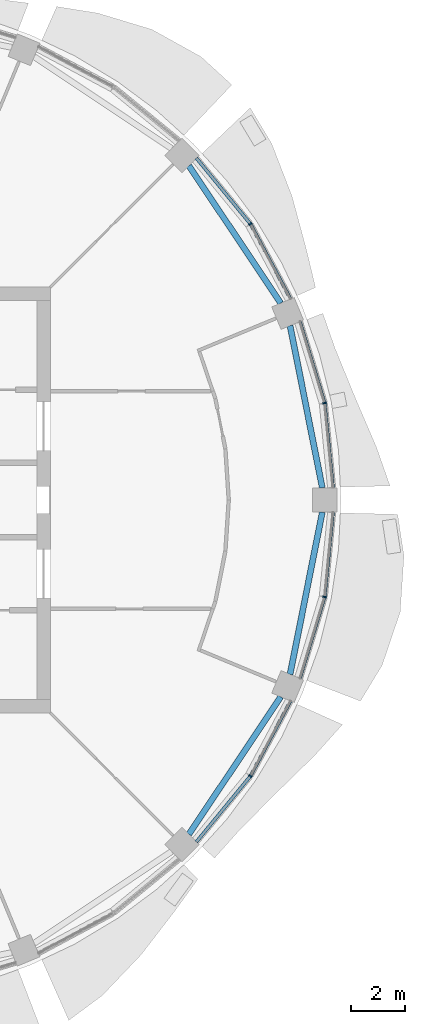
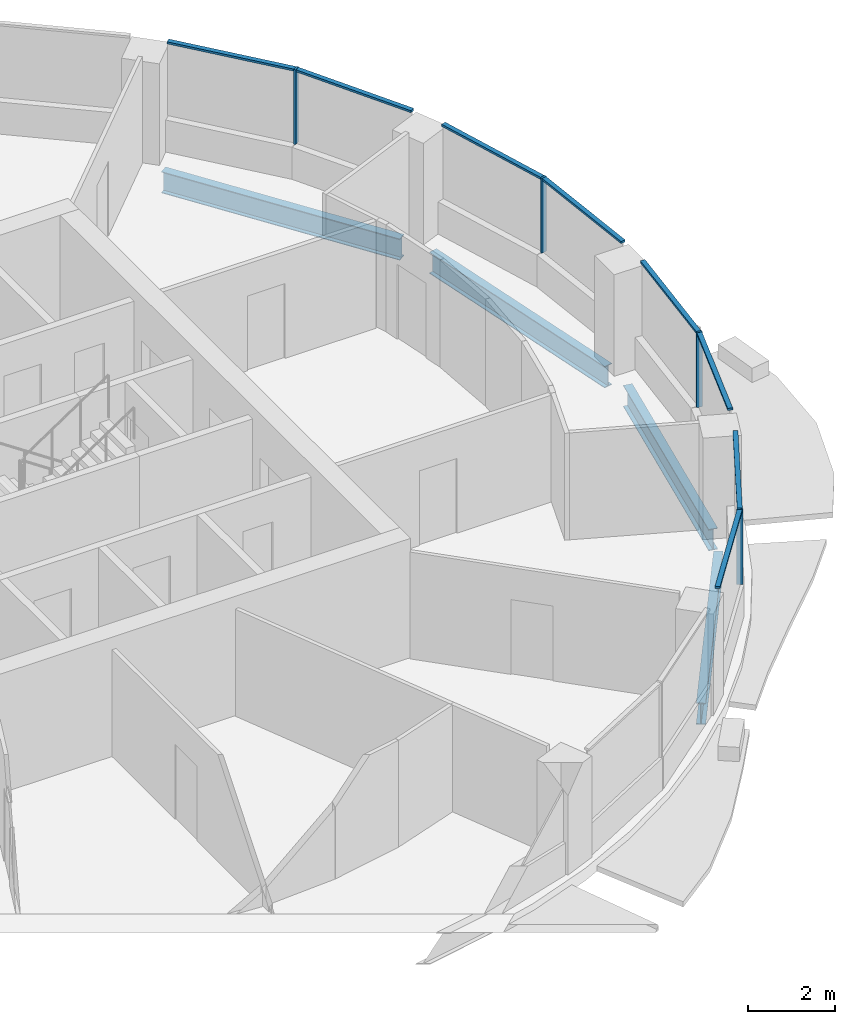
# One storey, part 5 of 15: 12 members, 4 beams, 4 elements without a shape of their own.
"""IFC4 building model written with IfcOpenShell, lengths in metres."""

from ifc_helpers import new_model, si_unit, direction, frame, origin, origin_2d, place, context, subcontext, project, spatial, rectangle, i_section, extrude, material, material_profile, profile_set, type_object, element, aggregate, save


model = new_model("IFC4")

# Units and contexts
model_context = context("Model", 3, precision=1e-05, world=origin(), true_north=direction((0.0, 1.0)))
body_context = subcontext(model_context, "Body", "Model", "MODEL_VIEW")
ifc_project = project(units=[si_unit("LENGTHUNIT", "METRE"), si_unit("AREAUNIT", "SQUARE_METRE"), si_unit("VOLUMEUNIT", "CUBIC_METRE"), si_unit("PLANEANGLEUNIT", "RADIAN"), si_unit("MASSUNIT", "GRAM", prefix="KILO")], contexts=[model_context])

# Site, building, storey
site_placement = place(None, origin())
site = spatial("IfcSite", under=ifc_project, at=site_placement, CompositionType="ELEMENT")
building_placement = place(site_placement, origin())
building = spatial("IfcBuilding", under=site, at=building_placement, Name="Polderwave Tower", CompositionType="ELEMENT")
storey_placement = place(building_placement, frame((0.0, 0.0, 180.949951171875)))
storey = spatial("IfcBuildingStorey", under=building, at=storey_placement, Name="L48", CompositionType="ELEMENT", Elevation=180.949951171875)

# Curtain wall, member
ifc_material_1 = material(Name="Aluminium 6063-T6 and glass", Category="aluminium")
curtain_wall_type = type_object("IfcCurtainWallType", Name="Office ribbon glazing wall", PredefinedType="NOTDEFINED", material=ifc_material_1)
curtain_wall_1_placement = place(storey_placement, origin())
curtain_wall_1 = element("IfcCurtainWall", 1, at=curtain_wall_1_placement, inside=storey, type_object=curtain_wall_type, Name="CW3 L48 00", PredefinedType="NOTDEFINED")
ifc_material_2 = material(Name="Aluminium 6063-T6", Category="aluminium")
ifc_material_profile_1 = material_profile(ifc_material_2, rectangle(XDim=0.139892578125, YDim=0.054931640625, at=origin_2d()), Name="AL 55x140")
ifc_profile_set_1 = profile_set([ifc_material_profile_1], Name="Aluminium 6063-T6")
member_type_1 = type_object("IfcMemberType", Name="Office ribbon glazing mullion 55x140", PredefinedType="MULLION", material=ifc_profile_set_1)
member_1_placement = place(storey_placement, frame((18.01708984375, 3.583984375, 0.900146484375), z_axis=(0.0, 0.0, 1.0), x_axis=(-0.980774723565, -0.195143387321, 0.0)))
member_1 = element("IfcMember", 2, at=member_1_placement, type_object=member_type_1, Name="CW3 mullion 1", PredefinedType="MULLION", context=body_context, shape_type="SweptSolid", body=[
    extrude(rectangle(XDim=0.139892578125, YDim=0.054931640625, at=origin_2d()), origin(), (0.0, 0.0, 1.0), 2.099853515625),
])

curtain_wall_2_placement = place(storey_placement, origin())
curtain_wall_2 = element("IfcCurtainWall", 3, at=curtain_wall_2_placement, inside=storey, type_object=curtain_wall_type, Name="CW3 L48 01", PredefinedType="NOTDEFINED")
member_2_placement = place(storey_placement, frame((15.27392578125, 10.2060546875, 0.900146484375), z_axis=(0.0, 0.0, 1.0), x_axis=(-0.83138621278, -0.555695028949, 0.0)))
member_2 = element("IfcMember", 4, at=member_2_placement, type_object=member_type_1, Name="CW3 mullion 1", PredefinedType="MULLION", context=body_context, shape_type="SweptSolid", body=[
    extrude(rectangle(XDim=0.139892578125, YDim=0.054931640625, at=origin_2d()), origin(), (0.0, 0.0, 1.0), 2.099853515625),
])

curtain_wall_3_placement = place(storey_placement, origin())
curtain_wall_3 = element("IfcCurtainWall", 5, at=curtain_wall_3_placement, inside=storey, type_object=curtain_wall_type, Name="CW3 L48 14", PredefinedType="NOTDEFINED")
member_3_placement = place(storey_placement, frame((15.27392578125, -10.2060546875, 0.900146484375), z_axis=(0.0, 0.0, 1.0), x_axis=(-0.83138621278, 0.555695028949, 0.0)))
member_3 = element("IfcMember", 6, at=member_3_placement, type_object=member_type_1, Name="CW3 mullion 1", PredefinedType="MULLION", context=body_context, shape_type="SweptSolid", body=[
    extrude(rectangle(XDim=0.139892578125, YDim=0.054931640625, at=origin_2d()), origin(), (0.0, 0.0, 1.0), 2.099853515625),
])

curtain_wall_4_placement = place(storey_placement, origin())
curtain_wall_4 = element("IfcCurtainWall", 7, at=curtain_wall_4_placement, inside=storey, type_object=curtain_wall_type, Name="CW3 L48 15", PredefinedType="NOTDEFINED")
member_4_placement = place(storey_placement, frame((18.01708984375, -3.583984375, 0.900146484375), z_axis=(0.0, 0.0, 1.0), x_axis=(-0.980774723565, 0.195143387321, 0.0)))
member_4 = element("IfcMember", 8, at=member_4_placement, type_object=member_type_1, Name="CW3 mullion 1", PredefinedType="MULLION", context=body_context, shape_type="SweptSolid", body=[
    extrude(rectangle(XDim=0.139892578125, YDim=0.054931640625, at=origin_2d()), origin(), (0.0, 0.0, 1.0), 2.099853515625),
])

# Member
ifc_material_profile_2 = material_profile(ifc_material_2, rectangle(XDim=0.1201171875, YDim=0.06005859375, at=origin_2d()), Name="AL 60x120")
ifc_profile_set_2 = profile_set([ifc_material_profile_2], Name="Aluminium 6063-T6")
member_type_2 = type_object("IfcMemberType", Name="Office ribbon glazing transom 60x120", PredefinedType="USERDEFINED", material=ifc_profile_set_2)
member_5_placement = place(storey_placement, frame((18.325927734375, 0.449951171875, 2.969970703125), z_axis=(-0.098071118168, 0.995179408841, 0.0), x_axis=(-0.995179408841, -0.098071118168, 0.0)))
member_5 = element("IfcMember", 9, at=member_5_placement, type_object=member_type_2, Name="CW3 transom 1", ObjectType="TRANSOM", PredefinedType="USERDEFINED", context=body_context, shape_type="SweptSolid", body=[
    extrude(rectangle(XDim=0.1201171875, YDim=0.06005859375, at=origin_2d()), origin(), (0.0, 0.0, 1.0), 3.121826171875),
])

member_6_placement = place(storey_placement, frame((18.009033203125, 3.6103515625, 2.969970703125), z_axis=(-0.290296140087, 0.956936858445, 0.0), x_axis=(-0.956936858445, -0.290296140087, 0.0)))
member_6 = element("IfcMember", 10, at=member_6_placement, type_object=member_type_2, Name="CW3 transom 2", ObjectType="TRANSOM", PredefinedType="USERDEFINED", context=body_context, shape_type="SweptSolid", body=[
    extrude(rectangle(XDim=0.1201171875, YDim=0.06005859375, at=origin_2d()), origin(), (0.0, 0.0, 1.0), 3.120849609375),
])

aggregate(curtain_wall_1, [member_1, member_5, member_6])

member_7_placement = place(storey_placement, frame((16.759033203125, 7.428955078125, 2.969970703125), z_axis=(-0.471541933761, 0.881843639601, 0.0), x_axis=(-0.881843639601, -0.471541933761, 0.0)))
member_7 = element("IfcMember", 11, at=member_7_placement, type_object=member_type_2, Name="CW3 transom 1", ObjectType="TRANSOM", PredefinedType="USERDEFINED", context=body_context, shape_type="SweptSolid", body=[
    extrude(rectangle(XDim=0.1201171875, YDim=0.06005859375, at=origin_2d()), origin(), (0.0, 0.0, 1.0), 3.12158203125),
])

member_8_placement = place(storey_placement, frame((15.256591796875, 10.227294921875, 2.969970703125), z_axis=(-0.634535918475, 0.772893374383, 0.0), x_axis=(-0.772893374383, -0.634535918475, 0.0)))
member_8 = element("IfcMember", 12, at=member_8_placement, type_object=member_type_2, Name="CW3 transom 2", ObjectType="TRANSOM", PredefinedType="USERDEFINED", context=body_context, shape_type="SweptSolid", body=[
    extrude(rectangle(XDim=0.1201171875, YDim=0.06005859375, at=origin_2d()), origin(), (0.0, 0.0, 1.0), 3.12158203125),
])

aggregate(curtain_wall_2, [member_2, member_7, member_8])

member_9_placement = place(storey_placement, frame((13.27587890625, -12.639892578125, 2.969970703125), z_axis=(0.634535918475, 0.772893374383, 0.0), x_axis=(-0.772893374383, 0.634535918475, 0.0)))
member_9 = element("IfcMember", 13, at=member_9_placement, type_object=member_type_2, Name="CW3 transom 1", ObjectType="TRANSOM", PredefinedType="USERDEFINED", context=body_context, shape_type="SweptSolid", body=[
    extrude(rectangle(XDim=0.1201171875, YDim=0.06005859375, at=origin_2d()), origin(), (0.0, 0.0, 1.0), 3.12158203125),
])

member_10_placement = place(storey_placement, frame((15.287109375, -10.181640625, 2.969970703125), z_axis=(0.471541933761, 0.881843639601, 0.0), x_axis=(-0.881843639601, 0.471541933761, 0.0)))
member_10 = element("IfcMember", 14, at=member_10_placement, type_object=member_type_2, Name="CW3 transom 2", ObjectType="TRANSOM", PredefinedType="USERDEFINED", context=body_context, shape_type="SweptSolid", body=[
    extrude(rectangle(XDim=0.1201171875, YDim=0.06005859375, at=origin_2d()), origin(), (0.0, 0.0, 1.0), 3.12158203125),
])

aggregate(curtain_wall_3, [member_3, member_9, member_10])

member_11_placement = place(storey_placement, frame((17.10302734375, -6.596923828125, 2.969970703125), z_axis=(0.290296140087, 0.956936858445, 0.0), x_axis=(-0.956936858445, 0.290296140087, 0.0)))
member_11 = element("IfcMember", 15, at=member_11_placement, type_object=member_type_2, Name="CW3 transom 1", ObjectType="TRANSOM", PredefinedType="USERDEFINED", context=body_context, shape_type="SweptSolid", body=[
    extrude(rectangle(XDim=0.1201171875, YDim=0.06005859375, at=origin_2d()), origin(), (0.0, 0.0, 1.0), 3.120849609375),
])

member_12_placement = place(storey_placement, frame((18.019775390625, -3.556640625, 2.969970703125), z_axis=(0.098071118168, 0.995179408841, 0.0), x_axis=(-0.995179408841, 0.098071118168, 0.0)))
member_12 = element("IfcMember", 16, at=member_12_placement, type_object=member_type_2, Name="CW3 transom 2", ObjectType="TRANSOM", PredefinedType="USERDEFINED", context=body_context, shape_type="SweptSolid", body=[
    extrude(rectangle(XDim=0.1201171875, YDim=0.06005859375, at=origin_2d()), origin(), (0.0, 0.0, 1.0), 3.121826171875),
])

aggregate(curtain_wall_4, [member_4, member_11, member_12])

# Beams
ifc_material_3 = material(Name="Steel S355", Category="steel")
ifc_material_profile_3 = material_profile(ifc_material_3, i_section(OverallWidth=0.219970703125, OverallDepth=0.60009765625, WebThickness=0.011962890625, FlangeThickness=0.01904296875, at=origin_2d()), Name="IPE 600")
ifc_profile_set_3 = profile_set([ifc_material_profile_3], Name="Steel S355")
beam_type = type_object("IfcBeamType", Name="RING BEAM IPE 600", PredefinedType="BEAM", material=ifc_profile_set_3)
for number, where, z_axis, x_axis, name in (
    (17, (17.930419921875, 0.449951171875, -0.64990234375), (-0.195079268525, 0.980787479014, 0.0), (-0.980787479014, -0.195079268525, 0.0), "ST-RB-L48-00"),
    (18, (16.393310546875, 7.27734375, -0.64990234375), (-0.555538553645, 0.831490778911, 0.0), (-0.831490778911, -0.555538553645, 0.0), "ST-RB-L48-01"),
    (19, (12.9970703125, -12.360595703125, -0.64990234375), (0.555538553645, 0.831490778911, 0.0), (-0.831490778911, 0.555538553645, 0.0), "ST-RB-L48-14"),
    (20, (16.73779296875, -6.446044921875, -0.64990234375), (0.195079268525, 0.980787479014, 0.0), (-0.980787479014, 0.195079268525, 0.0), "ST-RB-L48-15"),
):
    element("IfcBeam", number, at=place(storey_placement, frame(where, z_axis=z_axis, x_axis=x_axis)), inside=storey, type_object=beam_type, Name=name, PredefinedType="BEAM", context=body_context, shape_type="SweptSolid", body=[
        extrude(i_section(OverallWidth=0.219970703125, OverallDepth=0.60009765625, WebThickness=0.011962890625, FlangeThickness=0.01904296875, at=origin_2d()), origin(), (0.0, 0.0, 1.0), 6.113525390625),
    ])

save(model, "model.ifc")
